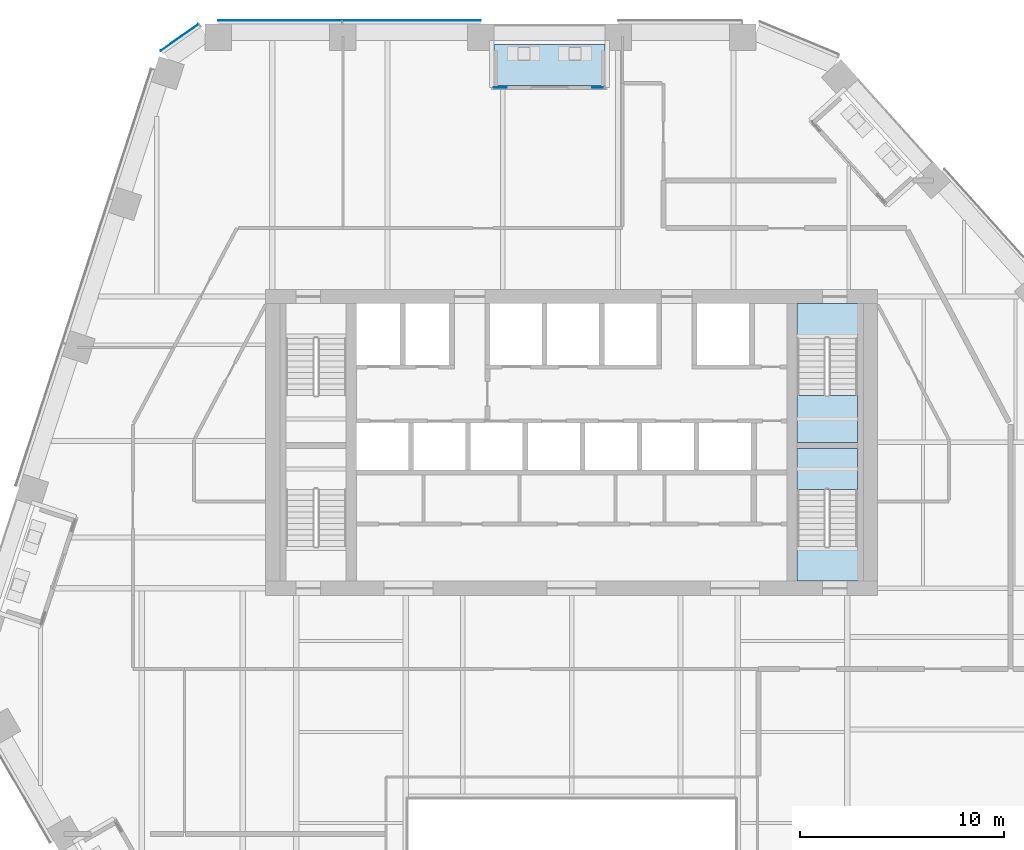
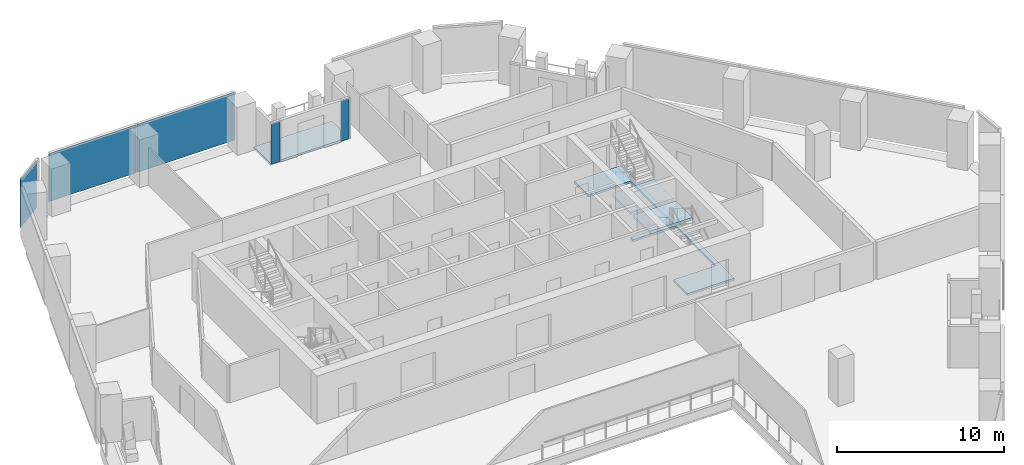
# One storey, part 16 of 25: 5 plates, 4 slabs, 5 elements without a shape of their own.
"""IFC4 building model written with IfcOpenShell, lengths in metres."""

from ifc_helpers import new_model, si_unit, direction, frame, origin, origin_2d, place, context, subcontext, project, spatial, polyline, rectangle, outline, extrude, material, layer, layer_set, type_object, element, aggregate, save


model = new_model("IFC4")

# Units and contexts
model_context = context("Model", 3, precision=1e-05, world=origin(), true_north=direction((0.0, 1.0)))
body_context = subcontext(model_context, "Body", "Model", "MODEL_VIEW")
ifc_project = project(units=[si_unit("LENGTHUNIT", "METRE"), si_unit("AREAUNIT", "SQUARE_METRE"), si_unit("VOLUMEUNIT", "CUBIC_METRE"), si_unit("PLANEANGLEUNIT", "RADIAN"), si_unit("MASSUNIT", "GRAM", prefix="KILO")], contexts=[model_context])

# Site, building, storey
site_placement = place(None, origin())
site = spatial("IfcSite", under=ifc_project, at=site_placement, CompositionType="ELEMENT")
building_placement = place(site_placement, origin())
building = spatial("IfcBuilding", under=site, at=building_placement, Name="Isthmus Gate Tower", CompositionType="ELEMENT")
storey_placement = place(building_placement, frame((0.0, 0.0, 174.449951171875)))
storey = spatial("IfcBuildingStorey", under=building, at=storey_placement, Name="L43", CompositionType="ELEMENT", Elevation=174.449951171875)

# Slab
ifc_material_1 = material(Name="Concrete f'c 40 MPa", Category="concrete")
ifc_layer_1 = layer(ifc_material_1, 0.14990234375)
ifc_layer_set_1 = layer_set([ifc_layer_1], Name="CORE FLOOR SLAB 150")
slab_type_1 = type_object("IfcSlabType", Name="CORE FLOOR SLAB 150", PredefinedType="FLOOR", material=ifc_layer_set_1)
slab_1_placement = place(storey_placement, frame((0.0, 0.0, -0.14990234375)))
element("IfcSlab", 1, at=slab_1_placement, inside=storey, type_object=slab_type_1, Name="L43 core floor", PredefinedType="FLOOR", context=body_context, shape_type="SweptSolid", body=[
    extrude(outline(polyline([(11.050048828125, 14.300048828125), (11.050048828125, 12.597900390625), (14.0, 12.597900390625), (14.0, 7.5), (11.050048828125, 7.5), (11.050048828125, 7.199951171875), (14.0, 7.199951171875), (14.0, 2.402099609375), (11.050048828125, 2.402099609375), (11.050048828125, 0.699951171875), (14.300048828125, 0.699951171875), (14.300048828125, 14.300048828125), (11.050048828125, 14.300048828125)])), origin(), (0.0, 0.0, 1.0), 0.14990234375),
])

# Curtain wall, plates
ifc_material_2 = material(Name="Aluminium, pale champagne anodised", Category="aluminium")
ifc_layer_2 = layer(ifc_material_2, 0.199951171875)
ifc_layer_set_2 = layer_set([ifc_layer_2], Name="CW-1 UNITISED CURTAIN WALL 200 DEEP")
curtain_wall_type_1 = type_object("IfcCurtainWallType", Name="CW-1 UNITISED CURTAIN WALL 200 DEEP", PredefinedType="NOTDEFINED", material=ifc_layer_set_2)
curtain_wall_1_placement = place(storey_placement, origin())
curtain_wall_1 = element("IfcCurtainWall", 2, at=curtain_wall_1_placement, inside=storey, type_object=curtain_wall_type_1, Name="CW-1 N L43", PredefinedType="NOTDEFINED")
ifc_material_3 = material(Name="Laminated low-iron glass, pale blue tint", Category="glass")
ifc_layer_3 = layer(ifc_material_3, 0.035888671875)
ifc_layer_set_3 = layer_set([ifc_layer_3], Name="CW-1 CLEAR GLASS LITE 36")
plate_type_1 = type_object("IfcPlateType", Name="CW-1 CLEAR GLASS LITE 36", PredefinedType="CURTAIN_PANEL", material=ifc_layer_set_3)
plate_1_placement = place(storey_placement, frame((-7.836669921875, 28.181884765625, 0.0), z_axis=(0.0, 0.0, 1.0), x_axis=(-1.0, 0.0, 0.0)))
plate_1 = element("IfcPlate", 3, at=plate_1_placement, type_object=plate_type_1, Name="CW-1 glass lite", PredefinedType="CURTAIN_PANEL", context=body_context, shape_type="SweptSolid", body=[
    extrude(rectangle(XDim=6.750244140625, YDim=0.035888671875, at=origin_2d()), origin(), (0.0, 0.0, 1.0), 3.510009765625),
])
plate_2_placement = place(storey_placement, frame((-14.2919921875, 28.181884765625, 0.0), z_axis=(0.0, 0.0, 1.0), x_axis=(-1.0, 0.0, 0.0)))
plate_2 = element("IfcPlate", 4, at=plate_2_placement, type_object=plate_type_1, Name="CW-1 glass lite", PredefinedType="CURTAIN_PANEL", context=body_context, shape_type="SweptSolid", body=[
    extrude(rectangle(XDim=6.0400390625, YDim=0.035888671875, at=origin_2d()), origin(), (0.0, 0.0, 1.0), 3.510009765625),
])
aggregate(curtain_wall_1, [plate_1, plate_2])

# Curtain wall, plate
curtain_wall_2_placement = place(storey_placement, origin())
curtain_wall_2 = element("IfcCurtainWall", 5, at=curtain_wall_2_placement, inside=storey, type_object=curtain_wall_type_1, Name="CW-1 N-NW L43", PredefinedType="NOTDEFINED")
plate_3_placement = place(storey_placement, frame((-19.2119140625, 27.343017578125, 0.0), z_axis=(0.0, 0.0, 1.0), x_axis=(-0.81785959165, -0.57541783805, 0.0)))
plate_3 = element("IfcPlate", 6, at=plate_3_placement, type_object=plate_type_1, Name="CW-1 glass lite", PredefinedType="CURTAIN_PANEL", context=body_context, shape_type="SweptSolid", body=[
    extrude(rectangle(XDim=2.258544921875, YDim=0.035888671875, at=origin_2d()), origin(), (0.0, 0.0, 1.0), 3.510009765625),
])
aggregate(curtain_wall_2, [plate_3])

# Curtain wall, plates
ifc_material_4 = material(Name="Aluminium, pale champagne anodised", Category="aluminium")
ifc_layer_4 = layer(ifc_material_4, 0.14990234375)
ifc_layer_set_4 = layer_set([ifc_layer_4], Name="CW-6 LOGGIA BACK WALL GLAZING 150 DEEP")
curtain_wall_type_2 = type_object("IfcCurtainWallType", Name="CW-6 LOGGIA BACK WALL GLAZING 150 DEEP", PredefinedType="NOTDEFINED", material=ifc_layer_set_4)
curtain_wall_3_placement = place(storey_placement, origin())
curtain_wall_3 = element("IfcCurtainWall", 7, at=curtain_wall_3_placement, inside=storey, type_object=curtain_wall_type_2, Name="CW-6 N L43", PredefinedType="NOTDEFINED")
ifc_material_5 = material(Name="Laminated low-iron glass, clear", Category="glass")
ifc_layer_5 = layer(ifc_material_5, 0.031982421875)
ifc_layer_set_5 = layer_set([ifc_layer_5], Name="CW-6 CLEAR GLASS LITE 32")
plate_type_2 = type_object("IfcPlateType", Name="CW-6 CLEAR GLASS LITE 32", PredefinedType="CURTAIN_PANEL", material=ifc_layer_set_5)
plate_4_placement = place(storey_placement, frame((1.2958984375, 24.89990234375, 0.0), z_axis=(0.0, 0.0, 1.0), x_axis=(-1.0, 0.0, 0.0)))
plate_4 = element("IfcPlate", 8, at=plate_4_placement, type_object=plate_type_2, Name="CW-6 glass lite", PredefinedType="CURTAIN_PANEL", context=body_context, shape_type="SweptSolid", body=[
    extrude(rectangle(XDim=0.565185546875, YDim=0.031982421875, at=origin_2d()), origin(), (0.0, 0.0, 1.0), 2.929931640625),
])
plate_5_placement = place(storey_placement, frame((-3.499267578125, 24.89990234375, 0.0), z_axis=(0.0, 0.0, 1.0), x_axis=(-1.0, 0.0, 0.0)))
plate_5 = element("IfcPlate", 9, at=plate_5_placement, type_object=plate_type_2, Name="CW-6 glass lite", PredefinedType="CURTAIN_PANEL", context=body_context, shape_type="SweptSolid", body=[
    extrude(rectangle(XDim=0.625, YDim=0.031982421875, at=origin_2d()), origin(), (0.0, 0.0, 1.0), 2.929931640625),
])
aggregate(curtain_wall_3, [plate_4, plate_5])

# Slab
ifc_material_6 = material(Name="Concrete f'c 50 MPa", Category="concrete")
ifc_layer_6 = layer(ifc_material_6, 0.14990234375)
ifc_layer_set_6 = layer_set([ifc_layer_6], Name="LOGGIA FLOOR SLAB 150")
slab_type_2 = type_object("IfcSlabType", Name="LOGGIA FLOOR SLAB 150", PredefinedType="FLOOR", material=ifc_layer_set_6)
slab_2_placement = place(storey_placement, frame((0.0, 0.0, -0.14990234375)))
element("IfcSlab", 10, at=slab_2_placement, inside=storey, type_object=slab_type_2, Name="LOGGIA FLOOR", PredefinedType="FLOOR", context=body_context, shape_type="SweptSolid", body=[
    extrude(outline(polyline([(1.638427734375, 27.0), (-3.811767578125, 27.0), (-3.811767578125, 25.0), (1.638427734375, 25.0), (1.638427734375, 27.0)])), origin(), (0.0, 0.0, 1.0), 0.14990234375),
])

# Stair, slab
ifc_material_7 = material(Name="Concrete f'c 40 MPa", Category="concrete")
stair_type = type_object("IfcStairType", Name="CORE STAIR 22 RISERS", PredefinedType="HALF_TURN_STAIR", material=ifc_material_7)
stair_1_placement = place(storey_placement, origin())
stair_1 = element("IfcStair", 11, at=stair_1_placement, inside=storey, type_object=stair_type, Name="L43 Exit Stair 2", PredefinedType="HALF_TURN_STAIR")
ifc_material_8 = material(Name="Concrete f'c 40 MPa", Category="concrete")
ifc_layer_7 = layer(ifc_material_8, 0.199951171875)
ifc_layer_set_7 = layer_set([ifc_layer_7])
slab_type_3 = type_object("IfcSlabType", Name="STAIR LANDING RC 200", PredefinedType="LANDING", material=ifc_layer_set_7)
slab_3_placement = place(storey_placement, frame((0.0, 0.0, 1.625)))
slab_3 = element("IfcSlab", 12, at=slab_3_placement, type_object=slab_type_3, Name="ST2 landing 1", PredefinedType="LANDING", context=body_context, shape_type="SweptSolid", body=[
    extrude(outline(polyline([(11.050048828125, 9.800048828125), (11.050048828125, 7.5), (14.0, 7.5), (14.0, 9.800048828125), (11.050048828125, 9.800048828125)])), origin(), (0.0, 0.0, 1.0), 0.199951171875),
])
aggregate(stair_1, [slab_3])

stair_2_placement = place(storey_placement, origin())
stair_2 = element("IfcStair", 13, at=stair_2_placement, inside=storey, type_object=stair_type, Name="L43 Exit Stair 8", PredefinedType="HALF_TURN_STAIR")
slab_4_placement = place(storey_placement, frame((0.0, 0.0, 1.625)))
slab_4 = element("IfcSlab", 14, at=slab_4_placement, type_object=slab_type_3, Name="ST8 landing 1", PredefinedType="LANDING", context=body_context, shape_type="SweptSolid", body=[
    extrude(outline(polyline([(14.0, 5.199951171875), (14.0, 7.199951171875), (11.050048828125, 7.199951171875), (11.050048828125, 5.199951171875), (14.0, 5.199951171875)])), origin(), (0.0, 0.0, 1.0), 0.199951171875),
])
aggregate(stair_2, [slab_4])

save(model, "model.ifc")
